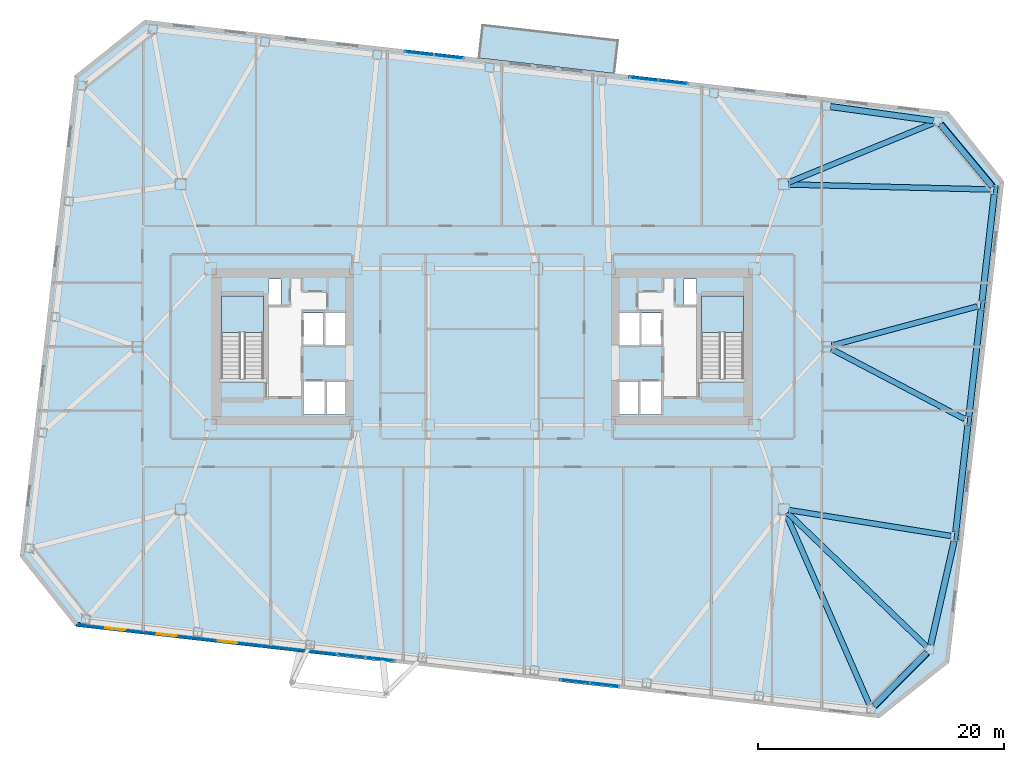
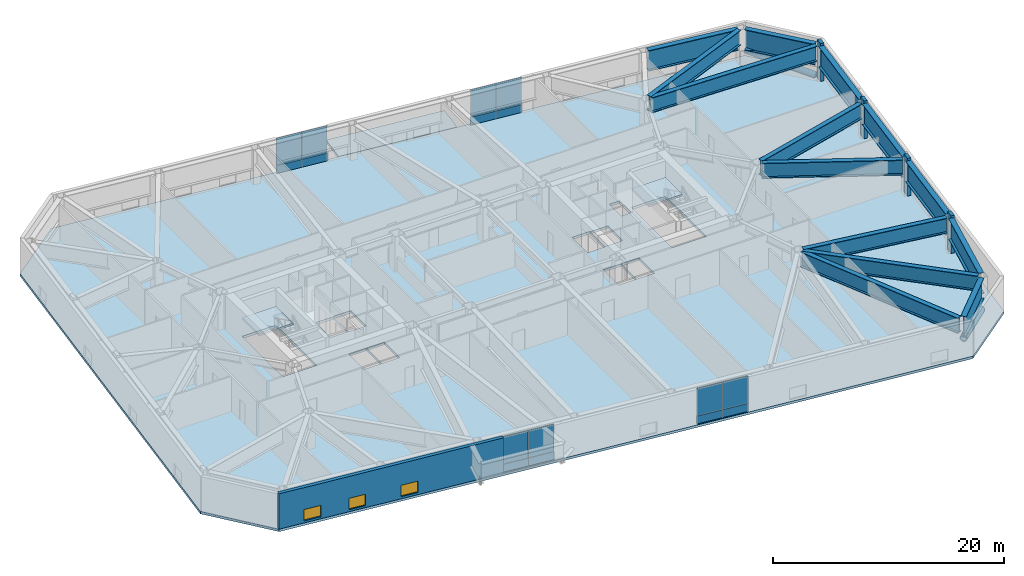
# One storey, part 10 of 21: 16 plates, 14 beams, 6 members, 4 slabs, 3 windows, 1 wall, 3 openings, 6 elements without a shape of their own.
"""IFC4 building model written with IfcOpenShell, lengths in metres."""

from ifc_helpers import new_model, si_unit, direction, frame, frame_2d, origin, origin_2d, place, context, subcontext, project, spatial, polyline, rectangle, hollow_circle, i_section, outline, extrude, material, layer, layer_set, material_profile, profile_set, type_object, element, fill, aggregate, save


model = new_model("IFC4")

# Units and contexts
model_context = context("Model", 3, precision=1e-05, world=origin(), true_north=direction((0.0, 1.0)))
body_context = subcontext(model_context, "Body", "Model", "MODEL_VIEW")
ifc_project = project(units=[si_unit("LENGTHUNIT", "METRE"), si_unit("AREAUNIT", "SQUARE_METRE"), si_unit("VOLUMEUNIT", "CUBIC_METRE"), si_unit("PLANEANGLEUNIT", "RADIAN"), si_unit("MASSUNIT", "GRAM", prefix="KILO")], contexts=[model_context])

# Site, building, storey
site_placement = place(None, origin())
site = spatial("IfcSite", under=ifc_project, at=site_placement, CompositionType="ELEMENT")
building_placement = place(site_placement, origin())
building = spatial("IfcBuilding", under=site, at=building_placement, Name="Tavrogorsk Clinical Tower", CompositionType="ELEMENT")
storey_placement = place(building_placement, frame((0.0, 0.0, 89.39990234375)))
storey = spatial("IfcBuildingStorey", under=building, at=storey_placement, Name="L19", CompositionType="ELEMENT", Elevation=89.39990234375)

# Members
ifc_material_1 = material(Name="Structural steel S440", Category="steel")
ifc_material_profile_1 = material_profile(ifc_material_1, hollow_circle(Radius=0.304931640625, WallThickness=0.02490234375, at=origin_2d()), Name="CHS-610x25")
ifc_profile_set_1 = profile_set([ifc_material_profile_1], Name="Structural steel S440")
member_type_1 = type_object("IfcMemberType", Name="ExoBrace_CHS610", PredefinedType="BRACE", material=ifc_profile_set_1)
member_1_placement = place(storey_placement, frame((36.087890625, -24.842529296875, 0.362060546875), z_axis=(-0.692281564108, -0.700499851874, 0.173338378672), x_axis=(0.711266774518, -0.702922168854, 0.0)))
element("IfcMember", 1, at=member_1_placement, inside=storey, type_object=member_type_1, Name="L19 Corner Exoskeleton Brace S8-E1", PredefinedType="BRACE", context=body_context, shape_type="SweptSolid", body=[
    extrude(hollow_circle(Radius=0.304931640625, WallThickness=0.02490234375, at=origin_2d()), origin(), (0.0, 0.0, 1.0), 6.1494140625),
])
member_2_placement = place(storey_placement, frame((41.395751953125, 13.044921875, 0.3583984375), z_axis=(-0.631704544011, 0.757986321749, 0.162499554204), x_axis=(-0.768196718547, -0.640213871776, 0.0)))
element("IfcMember", 2, at=member_2_placement, inside=storey, type_object=member_type_1, Name="L19 Corner Exoskeleton Brace E5-N1", PredefinedType="BRACE", context=body_context, shape_type="SweptSolid", body=[
    extrude(hollow_circle(Radius=0.304931640625, WallThickness=0.02490234375, at=origin_2d()), origin(), (0.0, 0.0, 1.0), 6.606201171875),
])
ifc_material_2 = material(Name="Precast concrete B45 with limestone cladding", Category="masonry")
ifc_material_profile_2 = material_profile(ifc_material_2, rectangle(XDim=0.320068359375, YDim=0.719970703125, at=origin_2d()), Name="LIMESTONE-FIN-320x720")
ifc_profile_set_2 = profile_set([ifc_material_profile_2], Name="Precast concrete B45 with limestone cladding")
member_type_2 = type_object("IfcMemberType", Name="LimestonePleatFin_320x720", PredefinedType="USERDEFINED", material=ifc_profile_set_2)
for number, where, z_axis, x_axis, name in (
    (3, (38.48876953125, -15.432861328125, 0.0), (0.0, 0.0, 1.0), (0.993571855677, -0.113203213768, 0.0), "L19 E Pleated Stone Fin 1"),
    (4, (39.5595703125, -6.03369140625, 0.0), (0.0, 0.0, 1.0), (0.993571855677, -0.113203213768, 0.0), "L19 E Pleated Stone Fin 2"),
    (5, (40.63037109375, 3.365234375, 0.0), (0.0, 0.0, 1.0), (0.993571855677, -0.113203213768, 0.0), "L19 E Pleated Stone Fin 3"),
    (6, (41.701416015625, 12.7646484375, 0.0), (0.0, 0.0, 1.0), (0.993571855677, -0.113203213768, 0.0), "L19 E Pleated Stone Fin 4"),
):
    element("IfcMember", number, at=place(storey_placement, frame(where, z_axis=z_axis, x_axis=x_axis)), inside=storey, type_object=member_type_2, Name=name, ObjectType="FIN", PredefinedType="USERDEFINED", context=body_context, shape_type="SweptSolid", body=[
        extrude(rectangle(XDim=0.320068359375, YDim=0.719970703125, at=origin_2d()), origin(), (0.0, 0.0, 1.0), 4.0),
    ])

# Beams
ifc_material_3 = material(Name="Structural steel S440", Category="steel")
ifc_material_profile_3 = material_profile(ifc_material_3, i_section(OverallWidth=0.449951171875, OverallDepth=1.60009765625, WebThickness=0.031982421875, FlangeThickness=0.050048828125, at=origin_2d()), Name="DK-1600x450x32x50")
ifc_profile_set_3 = profile_set([ifc_material_profile_3], Name="Structural steel S440")
beam_type_1 = type_object("IfcBeamType", Name="TransferGirder_DK1600", PredefinedType="USERDEFINED", material=ifc_profile_set_3)
beam_1_placement = place(storey_placement, frame((24.664306640625, -13.57568359375, 2.940185546875), z_axis=(0.400586354613, -0.916259009504, 0.0), x_axis=(0.916259009504, 0.400586354613, 0.0)))
element("IfcBeam", 7, at=beam_1_placement, inside=storey, type_object=beam_type_1, Name="L19 Radial Floor Beam S8", ObjectType="GIRDER", PredefinedType="USERDEFINED", context=body_context, shape_type="SweptSolid", body=[
    extrude(i_section(OverallWidth=0.449951171875, OverallDepth=1.60009765625, WebThickness=0.031982421875, FlangeThickness=0.050048828125, at=origin_2d()), origin(), (0.0, 0.0, 1.0), 16.91357421875),
])
beam_2_placement = place(storey_placement, frame((24.87939453125, 13.35546875, 2.940185546875), z_axis=(0.925250223374, 0.379357383143, 0.0), x_axis=(-0.379357383143, 0.925250223374, 0.0)))
element("IfcBeam", 8, at=beam_2_placement, inside=storey, type_object=beam_type_1, Name="L19 Radial Floor Beam N1", ObjectType="GIRDER", PredefinedType="USERDEFINED", context=body_context, shape_type="SweptSolid", body=[
    extrude(i_section(OverallWidth=0.449951171875, OverallDepth=1.60009765625, WebThickness=0.031982421875, FlangeThickness=0.050048828125, at=origin_2d()), origin(), (0.0, 0.0, 1.0), 12.738037109375),
])
beam_3_placement = place(storey_placement, frame((24.79541015625, -13.484375, 2.940185546875), z_axis=(0.720494740362, -0.693460401977, 0.0), x_axis=(0.693460401977, 0.720494740362, 0.0)))
element("IfcBeam", 9, at=beam_3_placement, inside=storey, type_object=beam_type_1, Name="L19 Radial Floor Beam E1", ObjectType="GIRDER", PredefinedType="USERDEFINED", context=body_context, shape_type="SweptSolid", body=[
    extrude(i_section(OverallWidth=0.449951171875, OverallDepth=1.60009765625, WebThickness=0.031982421875, FlangeThickness=0.050048828125, at=origin_2d()), origin(), (0.0, 0.0, 1.0), 15.659423828125),
])
beam_4_placement = place(storey_placement, frame((24.90478515625, -13.2646484375, 2.940185546875), z_axis=(0.987456527754, -0.157891120067, 0.0), x_axis=(0.157891120067, 0.987456527754, 0.0)))
element("IfcBeam", 10, at=beam_4_placement, inside=storey, type_object=beam_type_1, Name="L19 Radial Floor Beam E2", ObjectType="GIRDER", PredefinedType="USERDEFINED", context=body_context, shape_type="SweptSolid", body=[
    extrude(i_section(OverallWidth=0.449951171875, OverallDepth=1.60009765625, WebThickness=0.031982421875, FlangeThickness=0.050048828125, at=origin_2d()), origin(), (0.0, 0.0, 1.0), 13.31787109375),
])
beam_5_placement = place(storey_placement, frame((28.363037109375, -0.1904296875, 2.940185546875), z_axis=(0.885467298335, -0.464701693111, 0.0), x_axis=(0.464701693111, 0.885467298335, 0.0)))
element("IfcBeam", 11, at=beam_5_placement, inside=storey, type_object=beam_type_1, Name="L19 Radial Floor Beam E3", ObjectType="GIRDER", PredefinedType="USERDEFINED", context=body_context, shape_type="SweptSolid", body=[
    extrude(i_section(OverallWidth=0.449951171875, OverallDepth=1.60009765625, WebThickness=0.031982421875, FlangeThickness=0.050048828125, at=origin_2d()), origin(), (0.0, 0.0, 1.0), 12.197021484375),
])
beam_6_placement = place(storey_placement, frame((28.39599609375, 0.1064453125, 2.940185546875), z_axis=(0.965705720144, 0.259639099677, 0.0), x_axis=(-0.259639099677, 0.965705720144, 0.0)))
element("IfcBeam", 12, at=beam_6_placement, inside=storey, type_object=beam_type_1, Name="L19 Radial Floor Beam E4", ObjectType="GIRDER", PredefinedType="USERDEFINED", context=body_context, shape_type="SweptSolid", body=[
    extrude(i_section(OverallWidth=0.449951171875, OverallDepth=1.60009765625, WebThickness=0.031982421875, FlangeThickness=0.050048828125, at=origin_2d()), origin(), (0.0, 0.0, 1.0), 12.228759765625),
])
beam_7_placement = place(storey_placement, frame((24.909912109375, 13.189697265625, 2.940185546875), z_axis=(0.999690121031, -0.024893009314, 0.0), x_axis=(0.024893009314, 0.999690121031, 0.0)))
element("IfcBeam", 13, at=beam_7_placement, inside=storey, type_object=beam_type_1, Name="L19 Radial Floor Beam E5", ObjectType="GIRDER", PredefinedType="USERDEFINED", context=body_context, shape_type="SweptSolid", body=[
    extrude(i_section(OverallWidth=0.449951171875, OverallDepth=1.60009765625, WebThickness=0.031982421875, FlangeThickness=0.050048828125, at=origin_2d()), origin(), (0.0, 0.0, 1.0), 16.359130859375),
])
ifc_material_4 = material(Name="Structural steel S440", Category="steel")
ifc_material_profile_4 = material_profile(ifc_material_4, i_section(OverallWidth=0.5, OverallDepth=2.199951171875, WebThickness=0.035888671875, FlangeThickness=0.054931640625, at=origin_2d()), Name="DK-2200x500x36x55")
ifc_profile_set_4 = profile_set([ifc_material_profile_4], Name="Structural steel S440")
beam_type_2 = type_object("IfcBeamType", Name="TransferGirder_DK2200", PredefinedType="USERDEFINED", material=ifc_profile_set_4)
beam_8_placement = place(storey_placement, frame((31.834716796875, -29.146240234375, 2.64013671875), z_axis=(0.702934929184, 0.711254163667, 0.0), x_axis=(-0.711254163667, 0.702934929184, 0.0)))
element("IfcBeam", 14, at=beam_8_placement, inside=storey, type_object=beam_type_2, Name="L19 Perimeter Spandrel S8-E1", ObjectType="GIRDER", PredefinedType="USERDEFINED", context=body_context, shape_type="SweptSolid", body=[
    extrude(i_section(OverallWidth=0.5, OverallDepth=2.199951171875, WebThickness=0.035888671875, FlangeThickness=0.054931640625, at=origin_2d()), origin(), (0.0, 0.0, 1.0), 6.04541015625),
])
beam_9_placement = place(storey_placement, frame((36.414794921875, -24.242431640625, 2.64013671875), z_axis=(0.220602599501, 0.975363774749, 0.0), x_axis=(-0.975363774749, 0.220602599501, 0.0)))
element("IfcBeam", 15, at=beam_9_placement, inside=storey, type_object=beam_type_2, Name="L19 Perimeter Spandrel E1-E2", ObjectType="GIRDER", PredefinedType="USERDEFINED", context=body_context, shape_type="SweptSolid", body=[
    extrude(i_section(OverallWidth=0.5, OverallDepth=2.199951171875, WebThickness=0.035888671875, FlangeThickness=0.054931640625, at=origin_2d()), origin(), (0.0, 0.0, 1.0), 8.68310546875),
])
for number, where, z_axis, x_axis, name in (
    (16, (38.44970703125, -15.068115234375, 2.64013671875), (0.113192226434, 0.993573107464, 0.0), (-0.993573107464, 0.113192226434, 0.0), "L19 Perimeter Spandrel E2-E3"),
    (17, (39.520751953125, -5.6689453125, 2.64013671875), (0.113192226434, 0.993573107464, 0.0), (-0.993573107464, 0.113192226434, 0.0), "L19 Perimeter Spandrel E3-E4"),
):
    element("IfcBeam", number, at=place(storey_placement, frame(where, z_axis=z_axis, x_axis=x_axis)), inside=storey, type_object=beam_type_2, Name=name, ObjectType="GIRDER", PredefinedType="USERDEFINED", context=body_context, shape_type="SweptSolid", body=[
        extrude(i_section(OverallWidth=0.5, OverallDepth=2.199951171875, WebThickness=0.035888671875, FlangeThickness=0.054931640625, at=origin_2d()), origin(), (0.0, 0.0, 1.0), 8.743896484375),
    ])
beam_10_placement = place(storey_placement, frame((40.591552734375, 3.72998046875, 2.64013671875), z_axis=(0.113189086379, 0.993573465188, 0.0), x_axis=(-0.993573465188, 0.113189086379, 0.0)))
element("IfcBeam", 18, at=beam_10_placement, inside=storey, type_object=beam_type_2, Name="L19 Perimeter Spandrel E4-E5", ObjectType="GIRDER", PredefinedType="USERDEFINED", context=body_context, shape_type="SweptSolid", body=[
    extrude(i_section(OverallWidth=0.5, OverallDepth=2.199951171875, WebThickness=0.035888671875, FlangeThickness=0.054931640625, at=origin_2d()), origin(), (0.0, 0.0, 1.0), 8.744140625),
])
beam_11_placement = place(storey_placement, frame((41.392578125, 13.048583984375, 2.64013671875), z_axis=(-0.640191778751, 0.768215130299, 0.0), x_axis=(-0.768215130299, -0.640191778751, 0.0)))
element("IfcBeam", 19, at=beam_11_placement, inside=storey, type_object=beam_type_2, Name="L19 Perimeter Spandrel E5-N1", ObjectType="GIRDER", PredefinedType="USERDEFINED", context=body_context, shape_type="SweptSolid", body=[
    extrude(i_section(OverallWidth=0.5, OverallDepth=2.199951171875, WebThickness=0.035888671875, FlangeThickness=0.054931640625, at=origin_2d()), origin(), (0.0, 0.0, 1.0), 6.508544921875),
])
beam_12_placement = place(storey_placement, frame((36.641845703125, 18.3720703125, 2.64013671875), z_axis=(-0.990722121657, 0.135903192232, 0.0), x_axis=(-0.135903192232, -0.990722121657, 0.0)))
element("IfcBeam", 20, at=beam_12_placement, inside=storey, type_object=beam_type_2, Name="L19 Perimeter Spandrel N1-N2", ObjectType="GIRDER", PredefinedType="USERDEFINED", context=body_context, shape_type="SweptSolid", body=[
    extrude(i_section(OverallWidth=0.5, OverallDepth=2.199951171875, WebThickness=0.035888671875, FlangeThickness=0.054931640625, at=origin_2d()), origin(), (0.0, 0.0, 1.0), 8.439697265625),
])

# Curtain wall, plates
ifc_material_5 = material(Name="Anodised aluminium and triple IGU glazing", Category="aluminium")
ifc_layer_1 = layer(ifc_material_5, 0.179931640625)
ifc_layer_set_1 = layer_set([ifc_layer_1], Name="Anodised aluminium and triple IGU glazing")
curtain_wall_type_1 = type_object("IfcCurtainWallType", Name="CW3_SouthSlot", PredefinedType="NOTDEFINED", material=ifc_layer_set_1)
curtain_wall_1_placement = place(storey_placement, origin())
curtain_wall_1 = element("IfcCurtainWall", 21, at=curtain_wall_1_placement, inside=storey, type_object=curtain_wall_type_1, Name="L19 Curtain Wall CW-L19-S-SLOT-1", PredefinedType="NOTDEFINED")
ifc_material_6 = material(Name="Honed Podolsk limestone spandrel panel", Category="masonry")
ifc_layer_2 = layer(ifc_material_6, 0.080078125)
ifc_layer_set_2 = layer_set([ifc_layer_2], Name="Honed Podolsk limestone spandrel panel")
plate_type_1 = type_object("IfcPlateType", Name="CwSpandrelStonePanel_80", PredefinedType="CURTAIN_PANEL", material=ifc_layer_set_2)
plate_1_placement = place(storey_placement, frame((-10.70654296875, -25.095947265625, 0.002197265625), z_axis=(0.0, 0.0, 1.0), x_axis=(0.993571855603, -0.11320321441, 0.0)))
plate_1 = element("IfcPlate", 22, at=plate_1_placement, type_object=plate_type_1, Name="CW-L19-S-SLOT-1 Stone Spandrel Panel 1", PredefinedType="CURTAIN_PANEL", context=body_context, shape_type="SweptSolid", body=[
    extrude(rectangle(XDim=2.39208984375, YDim=0.080078125, at=origin_2d()), origin(), (0.0, 0.0, 1.0), 0.8359375),
])
plate_2_placement = place(storey_placement, frame((-8.30615234375, -25.36962890625, 0.002197265625), z_axis=(0.0, 0.0, 1.0), x_axis=(0.993571855603, -0.11320321441, 0.0)))
plate_2 = element("IfcPlate", 23, at=plate_2_placement, type_object=plate_type_1, Name="CW-L19-S-SLOT-1 Stone Spandrel Panel 2", PredefinedType="CURTAIN_PANEL", context=body_context, shape_type="SweptSolid", body=[
    extrude(rectangle(XDim=2.39208984375, YDim=0.080078125, at=origin_2d()), origin(), (0.0, 0.0, 1.0), 0.8359375),
])

curtain_wall_2_placement = place(storey_placement, origin())
curtain_wall_2 = element("IfcCurtainWall", 24, at=curtain_wall_2_placement, inside=storey, type_object=curtain_wall_type_1, Name="L19 Curtain Wall CW-L19-S-SLOT-2", PredefinedType="NOTDEFINED")
plate_3_placement = place(storey_placement, frame((7.52978515625, -27.173828125, 0.002197265625), z_axis=(0.0, 0.0, 1.0), x_axis=(0.993571858269, -0.113203191016, 0.0)))
plate_3 = element("IfcPlate", 25, at=plate_3_placement, type_object=plate_type_1, Name="CW-L19-S-SLOT-2 Stone Spandrel Panel 1", PredefinedType="CURTAIN_PANEL", context=body_context, shape_type="SweptSolid", body=[
    extrude(rectangle(XDim=2.39208984375, YDim=0.080078125, at=origin_2d()), origin(), (0.0, 0.0, 1.0), 0.8359375),
])
plate_4_placement = place(storey_placement, frame((9.93017578125, -27.447265625, 0.002197265625), z_axis=(0.0, 0.0, 1.0), x_axis=(0.993571858269, -0.113203191016, 0.0)))
plate_4 = element("IfcPlate", 26, at=plate_4_placement, type_object=plate_type_1, Name="CW-L19-S-SLOT-2 Stone Spandrel Panel 2", PredefinedType="CURTAIN_PANEL", context=body_context, shape_type="SweptSolid", body=[
    extrude(rectangle(XDim=2.39208984375, YDim=0.080078125, at=origin_2d()), origin(), (0.0, 0.0, 1.0), 0.8359375),
])

ifc_material_7 = material(Name="Anodised aluminium and triple IGU glazing", Category="aluminium")
ifc_layer_3 = layer(ifc_material_7, 0.179931640625)
ifc_layer_set_3 = layer_set([ifc_layer_3], Name="Anodised aluminium and triple IGU glazing")
curtain_wall_type_2 = type_object("IfcCurtainWallType", Name="CW2_NorthSlot", PredefinedType="NOTDEFINED", material=ifc_layer_set_3)
curtain_wall_3_placement = place(storey_placement, origin())
curtain_wall_3 = element("IfcCurtainWall", 27, at=curtain_wall_3_placement, inside=storey, type_object=curtain_wall_type_2, Name="L19 Curtain Wall CW-L19-N-SLOT-1", PredefinedType="NOTDEFINED")
plate_5_placement = place(storey_placement, frame((-2.729736328125, 23.57373046875, 0.002197265625), z_axis=(0.0, 0.0, 1.0), x_axis=(-0.993571858269, 0.113203191016, 0.0)))
plate_5 = element("IfcPlate", 28, at=plate_5_placement, type_object=plate_type_1, Name="CW-L19-N-SLOT-1 Stone Spandrel Panel 1", PredefinedType="CURTAIN_PANEL", context=body_context, shape_type="SweptSolid", body=[
    extrude(rectangle(XDim=2.39208984375, YDim=0.080078125, at=origin_2d()), origin(), (0.0, 0.0, 1.0), 0.8359375),
])
plate_6_placement = place(storey_placement, frame((-5.130126953125, 23.847412109375, 0.002197265625), z_axis=(0.0, 0.0, 1.0), x_axis=(-0.993571858269, 0.113203191016, 0.0)))
plate_6 = element("IfcPlate", 29, at=plate_6_placement, type_object=plate_type_1, Name="CW-L19-N-SLOT-1 Stone Spandrel Panel 2", PredefinedType="CURTAIN_PANEL", context=body_context, shape_type="SweptSolid", body=[
    extrude(rectangle(XDim=2.39208984375, YDim=0.080078125, at=origin_2d()), origin(), (0.0, 0.0, 1.0), 0.8359375),
])

curtain_wall_4_placement = place(storey_placement, origin())
curtain_wall_4 = element("IfcCurtainWall", 30, at=curtain_wall_4_placement, inside=storey, type_object=curtain_wall_type_2, Name="L19 Curtain Wall CW-L19-N-SLOT-2", PredefinedType="NOTDEFINED")
plate_7_placement = place(storey_placement, frame((15.506591796875, 21.49609375, 0.002197265625), z_axis=(0.0, 0.0, 1.0), x_axis=(-0.993571855603, 0.11320321441, 0.0)))
plate_7 = element("IfcPlate", 31, at=plate_7_placement, type_object=plate_type_1, Name="CW-L19-N-SLOT-2 Stone Spandrel Panel 1", PredefinedType="CURTAIN_PANEL", context=body_context, shape_type="SweptSolid", body=[
    extrude(rectangle(XDim=2.39208984375, YDim=0.080078125, at=origin_2d()), origin(), (0.0, 0.0, 1.0), 0.8359375),
])
plate_8_placement = place(storey_placement, frame((13.106201171875, 21.76953125, 0.002197265625), z_axis=(0.0, 0.0, 1.0), x_axis=(-0.993571855603, 0.11320321441, 0.0)))
plate_8 = element("IfcPlate", 32, at=plate_8_placement, type_object=plate_type_1, Name="CW-L19-N-SLOT-2 Stone Spandrel Panel 2", PredefinedType="CURTAIN_PANEL", context=body_context, shape_type="SweptSolid", body=[
    extrude(rectangle(XDim=2.39208984375, YDim=0.080078125, at=origin_2d()), origin(), (0.0, 0.0, 1.0), 0.8359375),
])

# Plate
ifc_material_8 = material(Name="Triple low-E argon insulated glass", Category="glass")
ifc_layer_4 = layer(ifc_material_8, 0.048095703125)
ifc_layer_set_4 = layer_set([ifc_layer_4], Name="Triple low-E argon insulated glass")
plate_type_2 = type_object("IfcPlateType", Name="CwVisionGlassPanel_48", PredefinedType="CURTAIN_PANEL", material=ifc_layer_set_4)
plate_9_placement = place(storey_placement, frame((-10.70654296875, -25.095947265625, 0.862060546875), z_axis=(0.0, 0.0, 1.0), x_axis=(0.993571855603, -0.11320321441, 0.0)))
plate_9 = element("IfcPlate", 33, at=plate_9_placement, type_object=plate_type_2, Name="CW-L19-S-SLOT-1 Glazing Panel 1", PredefinedType="CURTAIN_PANEL", context=body_context, shape_type="SweptSolid", body=[
    extrude(rectangle(XDim=2.39208984375, YDim=0.048095703125, at=origin_2d()), origin(), (0.0, 0.0, 1.0), 2.8759765625),
])

plate_10_placement = place(storey_placement, frame((-8.30615234375, -25.36962890625, 0.862060546875), z_axis=(0.0, 0.0, 1.0), x_axis=(0.993571855603, -0.11320321441, 0.0)))
plate_10 = element("IfcPlate", 34, at=plate_10_placement, type_object=plate_type_2, Name="CW-L19-S-SLOT-1 Glazing Panel 2", PredefinedType="CURTAIN_PANEL", context=body_context, shape_type="SweptSolid", body=[
    extrude(rectangle(XDim=2.39208984375, YDim=0.048095703125, at=origin_2d()), origin(), (0.0, 0.0, 1.0), 2.8759765625),
])

aggregate(curtain_wall_1, [plate_1, plate_9, plate_2, plate_10])

plate_11_placement = place(storey_placement, frame((7.52978515625, -27.173828125, 0.862060546875), z_axis=(0.0, 0.0, 1.0), x_axis=(0.993571858269, -0.113203191016, 0.0)))
plate_11 = element("IfcPlate", 35, at=plate_11_placement, type_object=plate_type_2, Name="CW-L19-S-SLOT-2 Glazing Panel 1", PredefinedType="CURTAIN_PANEL", context=body_context, shape_type="SweptSolid", body=[
    extrude(rectangle(XDim=2.39208984375, YDim=0.048095703125, at=origin_2d()), origin(), (0.0, 0.0, 1.0), 2.8759765625),
])

plate_12_placement = place(storey_placement, frame((9.93017578125, -27.447265625, 0.862060546875), z_axis=(0.0, 0.0, 1.0), x_axis=(0.993571858269, -0.113203191016, 0.0)))
plate_12 = element("IfcPlate", 36, at=plate_12_placement, type_object=plate_type_2, Name="CW-L19-S-SLOT-2 Glazing Panel 2", PredefinedType="CURTAIN_PANEL", context=body_context, shape_type="SweptSolid", body=[
    extrude(rectangle(XDim=2.39208984375, YDim=0.048095703125, at=origin_2d()), origin(), (0.0, 0.0, 1.0), 2.8759765625),
])

aggregate(curtain_wall_2, [plate_3, plate_11, plate_4, plate_12])

plate_13_placement = place(storey_placement, frame((-2.729736328125, 23.57373046875, 0.862060546875), z_axis=(0.0, 0.0, 1.0), x_axis=(-0.993571858269, 0.113203191016, 0.0)))
plate_13 = element("IfcPlate", 37, at=plate_13_placement, type_object=plate_type_2, Name="CW-L19-N-SLOT-1 Glazing Panel 1", PredefinedType="CURTAIN_PANEL", context=body_context, shape_type="SweptSolid", body=[
    extrude(rectangle(XDim=2.39208984375, YDim=0.048095703125, at=origin_2d()), origin(), (0.0, 0.0, 1.0), 2.8759765625),
])

plate_14_placement = place(storey_placement, frame((-5.130126953125, 23.847412109375, 0.862060546875), z_axis=(0.0, 0.0, 1.0), x_axis=(-0.993571858269, 0.113203191016, 0.0)))
plate_14 = element("IfcPlate", 38, at=plate_14_placement, type_object=plate_type_2, Name="CW-L19-N-SLOT-1 Glazing Panel 2", PredefinedType="CURTAIN_PANEL", context=body_context, shape_type="SweptSolid", body=[
    extrude(rectangle(XDim=2.39208984375, YDim=0.048095703125, at=origin_2d()), origin(), (0.0, 0.0, 1.0), 2.8759765625),
])

aggregate(curtain_wall_3, [plate_5, plate_13, plate_6, plate_14])

plate_15_placement = place(storey_placement, frame((15.506591796875, 21.49609375, 0.862060546875), z_axis=(0.0, 0.0, 1.0), x_axis=(-0.993571855603, 0.11320321441, 0.0)))
plate_15 = element("IfcPlate", 39, at=plate_15_placement, type_object=plate_type_2, Name="CW-L19-N-SLOT-2 Glazing Panel 1", PredefinedType="CURTAIN_PANEL", context=body_context, shape_type="SweptSolid", body=[
    extrude(rectangle(XDim=2.39208984375, YDim=0.048095703125, at=origin_2d()), origin(), (0.0, 0.0, 1.0), 2.8759765625),
])

plate_16_placement = place(storey_placement, frame((13.106201171875, 21.76953125, 0.862060546875), z_axis=(0.0, 0.0, 1.0), x_axis=(-0.993571855603, 0.11320321441, 0.0)))
plate_16 = element("IfcPlate", 40, at=plate_16_placement, type_object=plate_type_2, Name="CW-L19-N-SLOT-2 Glazing Panel 2", PredefinedType="CURTAIN_PANEL", context=body_context, shape_type="SweptSolid", body=[
    extrude(rectangle(XDim=2.39208984375, YDim=0.048095703125, at=origin_2d()), origin(), (0.0, 0.0, 1.0), 2.8759765625),
])

aggregate(curtain_wall_4, [plate_7, plate_15, plate_8, plate_16])

# Stair, slab
ifc_material_9 = material(Name="Concrete B60", Category="concrete")
stair_type = type_object("IfcStairType", Name="CoreStairAssembly", PredefinedType="HALF_TURN_STAIR", material=ifc_material_9)
stair_1_placement = place(storey_placement, origin())
stair_1 = element("IfcStair", 41, at=stair_1_placement, inside=storey, type_object=stair_type, Name="L19 ST-W", PredefinedType="HALF_TURN_STAIR")
ifc_material_10 = material(Name="Concrete B60", Category="concrete")
ifc_layer_5 = layer(ifc_material_10, 0.199951171875)
ifc_layer_set_5 = layer_set([ifc_layer_5], Name="Concrete B60")
slab_type_1 = type_object("IfcSlabType", Name="StairLanding_200", PredefinedType="LANDING", material=ifc_layer_set_5)
slab_1_placement = place(storey_placement, frame((0.0, 0.0, 1.800048828125)))
slab_1 = element("IfcSlab", 42, at=slab_1_placement, type_object=slab_type_1, Name="ST-W landing 1", PredefinedType="LANDING", context=body_context, shape_type="SweptSolid", body=[
    extrude(outline(polyline([(-17.800048828125, 1.1650390625), (-17.800048828125, 4.125), (-21.199951171875, 4.125), (-21.199951171875, 1.1650390625), (-17.800048828125, 1.1650390625)])), origin(), (0.0, 0.0, 1.0), 0.199951171875),
])
aggregate(stair_1, [slab_1])

stair_2_placement = place(storey_placement, origin())
stair_2 = element("IfcStair", 43, at=stair_2_placement, inside=storey, type_object=stair_type, Name="L19 ST-E", PredefinedType="HALF_TURN_STAIR")
slab_2_placement = place(storey_placement, frame((0.0, 0.0, 1.800048828125)))
slab_2 = element("IfcSlab", 44, at=slab_2_placement, type_object=slab_type_1, Name="ST-E landing 1", PredefinedType="LANDING", context=body_context, shape_type="SweptSolid", body=[
    extrude(outline(polyline([(21.199951171875, 1.1650390625), (21.199951171875, 4.125), (17.800048828125, 4.125), (17.800048828125, 1.1650390625), (21.199951171875, 1.1650390625)])), origin(), (0.0, 0.0, 1.0), 0.199951171875),
])
aggregate(stair_2, [slab_2])

# Slabs
ifc_material_11 = material(Name="Concrete B60", Category="concrete")
ifc_layer_6 = layer(ifc_material_11, 0.280029296875)
ifc_layer_set_6 = layer_set([ifc_layer_6], Name="Concrete B60")
slab_type_2 = type_object("IfcSlabType", Name="TerraceRoofSlab_280", PredefinedType="ROOF", material=ifc_layer_set_6)
slab_3_placement = place(storey_placement, frame((0.0, 0.0, -0.27978515625)))
element("IfcSlab", 45, at=slab_3_placement, inside=storey, type_object=slab_type_2, Name="Spiralling Recuperation Terrace Slab", PredefinedType="ROOF", context=body_context, shape_type="SweptSolid", body=[
    extrude(outline(polyline([(-0.04541015625, 26.206787109375), (11.082763671875, 24.93896484375), (10.771484375, 22.20654296875), (-0.356689453125, 23.474609375), (-0.04541015625, 26.206787109375)])), origin(), (0.0, 0.0, 1.0), 0.27978515625),
])
ifc_material_12 = material(Name="Concrete B60", Category="concrete")
ifc_layer_7 = layer(ifc_material_12, 0.260009765625)
ifc_layer_set_7 = layer_set([ifc_layer_7], Name="Concrete B60")
slab_type_3 = type_object("IfcSlabType", Name="WardSlab_260", PredefinedType="FLOOR", material=ifc_layer_set_7)
slab_4_placement = place(storey_placement, frame((0.0, 0.0, -0.260009765625)))
element("IfcSlab", 46, at=slab_4_placement, inside=storey, type_object=slab_type_3, Name="L19 Structural Slab", PredefinedType="FLOOR", context=body_context, shape_type="SweptSolid", body=[
    extrude(outline(polyline([(-32.99658203125, -22.7275390625), (32.181640625, -30.153564453125), (37.93701171875, -25.57568359375), (42.37451171875, 13.372314453125), (37.796630859375, 19.12744140625), (-27.381591796875, 26.5537109375), (-33.136962890625, 21.9755859375), (-37.574462890625, -16.972412109375), (-32.99658203125, -22.7275390625)]), holes=[polyline([(-17.800048828125, -2.8798828125), (-17.800048828125, 4.125), (-21.199951171875, 4.125), (-21.199951171875, -2.8798828125), (-17.800048828125, -2.8798828125)]), polyline([(21.199951171875, -2.8798828125), (21.199951171875, 4.125), (17.800048828125, 4.125), (17.800048828125, -2.8798828125), (21.199951171875, -2.8798828125)]), polyline([(-14.6201171875, 0.169921875), (-12.860107421875, 0.169921875), (-12.860107421875, 2.72998046875), (-14.6201171875, 2.72998046875), (-14.6201171875, 0.169921875)]), polyline([(-14.530029296875, -5.47998046875), (-12.77001953125, -5.47998046875), (-12.77001953125, -2.820068359375), (-14.530029296875, -2.820068359375), (-14.530029296875, -5.47998046875)]), polyline([(-12.72998046875, -5.47998046875), (-10.969970703125, -5.47998046875), (-10.969970703125, -2.820068359375), (-12.72998046875, -2.820068359375), (-12.72998046875, -5.47998046875)]), polyline([(-12.840087890625, 0.1201171875), (-11.080078125, 0.1201171875), (-11.080078125, 2.780029296875), (-12.840087890625, 2.780029296875), (-12.840087890625, 0.1201171875)]), polyline([(12.860107421875, 0.169921875), (14.6201171875, 0.169921875), (14.6201171875, 2.72998046875), (12.860107421875, 2.72998046875), (12.860107421875, 0.169921875)]), polyline([(12.77001953125, -5.47998046875), (14.530029296875, -5.47998046875), (14.530029296875, -2.820068359375), (12.77001953125, -2.820068359375), (12.77001953125, -5.47998046875)]), polyline([(10.969970703125, -5.47998046875), (12.72998046875, -5.47998046875), (12.72998046875, -2.820068359375), (10.969970703125, -2.820068359375), (10.969970703125, -5.47998046875)]), polyline([(11.080078125, 0.1201171875), (12.840087890625, 0.1201171875), (12.840087890625, 2.780029296875), (11.080078125, 2.780029296875), (11.080078125, 0.1201171875)]), polyline([(-17.3798828125, 3.449951171875), (-16.3798828125, 3.449951171875), (-16.3798828125, 5.5), (-17.3798828125, 5.5), (-17.3798828125, 3.449951171875)]), polyline([(16.3798828125, 3.449951171875), (17.3798828125, 3.449951171875), (17.3798828125, 5.5), (16.3798828125, 5.5), (16.3798828125, 3.449951171875)])]), origin(), (0.0, 0.0, 1.0), 0.260009765625),
])

# Wall, openings, windows
ifc_material_13 = material(Name="Precast concrete B45 with limestone cladding", Category="masonry")
ifc_layer_8 = layer(ifc_material_13, 0.340087890625)
ifc_layer_set_8 = layer_set([ifc_layer_8], Name="Precast concrete B45 with limestone cladding")
wall_type = type_object("IfcWallType", Name="PrecastLimestoneWall_340", PredefinedType="STANDARD", material=ifc_layer_set_8)
wall_placement = place(storey_placement, frame((-32.977294921875, -22.55859375, 0.0), z_axis=(0.0, 0.0, 1.0), x_axis=(0.993571214605, -0.113208840243, 0.0)))
wall = element("IfcWall", 47, at=wall_placement, inside=storey, type_object=wall_type, Name="L19 S Limestone Facade Wall 1", PredefinedType="STANDARD", context=body_context, shape_type="SweptSolid", body=[
    extrude(rectangle(XDim=21.22265625, YDim=0.340087890625, at=frame_2d((10.611328125, 0.0))), origin(), (0.0, 0.0, 1.0), 3.739990234375),
])
opening_1_placement = place(wall_placement, frame((2.35791015625, 0.0, 0.219970703125)))
opening_1 = element("IfcOpeningElement", 48, at=opening_1_placement, cuts=wall, Name="Opening WN-09", PredefinedType="OPENING", context=body_context, shape_type="SweptSolid", body=[
    extrude(rectangle(XDim=1.60009765625, YDim=1.199951171875, at=frame_2d((0.800048828125, 0.60009765625))), frame((0.0, 0.179931640625, 0.0), z_axis=(0.0, -1.0, 0.0), x_axis=(1.0, 0.0, 0.0)), (0.0, 0.0, 1.0), 0.360107421875),
])
opening_2_placement = place(wall_placement, frame((6.579345703125, 0.0, 0.219970703125)))
opening_2 = element("IfcOpeningElement", 49, at=opening_2_placement, cuts=wall, Name="Opening WN-09", PredefinedType="OPENING", context=body_context, shape_type="SweptSolid", body=[
    extrude(rectangle(XDim=1.60009765625, YDim=1.199951171875, at=frame_2d((0.800048828125, 0.60009765625))), frame((0.0, 0.179931640625, 0.0), z_axis=(0.0, -1.0, 0.0), x_axis=(1.0, 0.0, 0.0)), (0.0, 0.0, 1.0), 0.360107421875),
])
opening_3_placement = place(wall_placement, frame((11.534912109375, 0.0, 0.219970703125)))
opening_3 = element("IfcOpeningElement", 50, at=opening_3_placement, cuts=wall, Name="Opening WN-09", PredefinedType="OPENING", context=body_context, shape_type="SweptSolid", body=[
    extrude(rectangle(XDim=1.60009765625, YDim=1.199951171875, at=frame_2d((0.800048828125, 0.60009765625))), frame((0.0, 0.179931640625, 0.0), z_axis=(0.0, -1.0, 0.0), x_axis=(1.0, 0.0, 0.0)), (0.0, 0.0, 1.0), 0.360107421875),
])
ifc_material_14 = material(Name="Thermally broken aluminium frame and triple IGU", Category="aluminium")
window_type = type_object("IfcWindowType", Name="LowHeadTransWin_1600x1200", PartitioningType="DOUBLE_PANEL_VERTICAL", PredefinedType="WINDOW", material=ifc_material_14)
window_1_placement = place(opening_1_placement, origin())
window_1 = element("IfcWindow", 51, at=window_1_placement, inside=storey, type_object=window_type, Name="L19 S Chicago Window 01", OverallHeight=1.199951171875, OverallWidth=1.60009765625, PartitioningType="SINGLE_PANEL", PredefinedType="WINDOW", context=body_context, shape_type="SweptSolid", body=[
    extrude(rectangle(XDim=1.60009765625, YDim=1.199951171875, at=frame_2d((0.800048828125, 0.60009765625))), frame((0.0, 0.030029296875, 0.0), z_axis=(0.0, -1.0, 0.0), x_axis=(1.0, 0.0, 0.0)), (0.0, 0.0, 1.0), 0.06005859375),
])
fill(opening_1, window_1)
window_2_placement = place(opening_2_placement, origin())
window_2 = element("IfcWindow", 52, at=window_2_placement, inside=storey, type_object=window_type, Name="L19 S Chicago Window 02", OverallHeight=1.199951171875, OverallWidth=1.60009765625, PartitioningType="SINGLE_PANEL", PredefinedType="WINDOW", context=body_context, shape_type="SweptSolid", body=[
    extrude(rectangle(XDim=1.60009765625, YDim=1.199951171875, at=frame_2d((0.800048828125, 0.60009765625))), frame((0.0, 0.030029296875, 0.0), z_axis=(0.0, -1.0, 0.0), x_axis=(1.0, 0.0, 0.0)), (0.0, 0.0, 1.0), 0.06005859375),
])
fill(opening_2, window_2)
window_3_placement = place(opening_3_placement, origin())
window_3 = element("IfcWindow", 53, at=window_3_placement, inside=storey, type_object=window_type, Name="L19 S Chicago Window 03", OverallHeight=1.199951171875, OverallWidth=1.60009765625, PartitioningType="SINGLE_PANEL", PredefinedType="WINDOW", context=body_context, shape_type="SweptSolid", body=[
    extrude(rectangle(XDim=1.60009765625, YDim=1.199951171875, at=frame_2d((0.800048828125, 0.60009765625))), frame((0.0, 0.030029296875, 0.0), z_axis=(0.0, -1.0, 0.0), x_axis=(1.0, 0.0, 0.0)), (0.0, 0.0, 1.0), 0.06005859375),
])
fill(opening_3, window_3)

save(model, "model.ifc")
